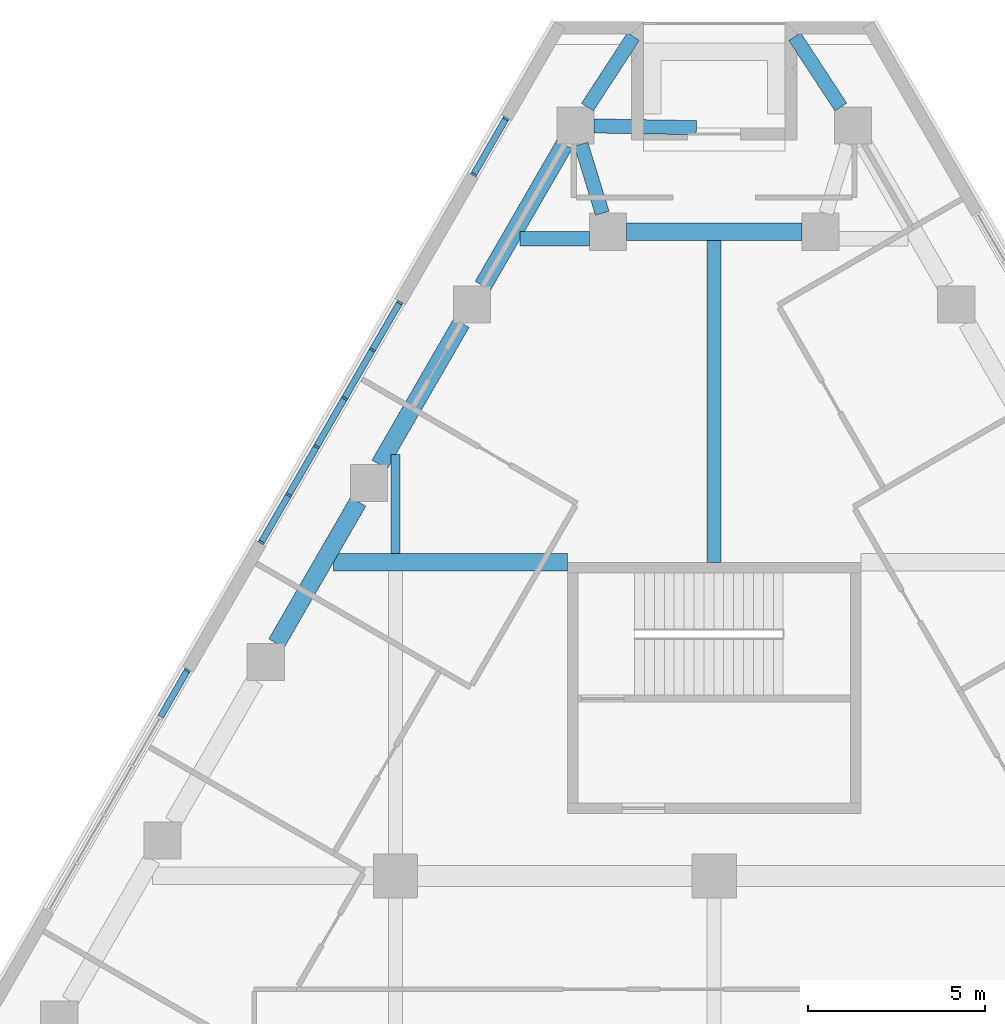
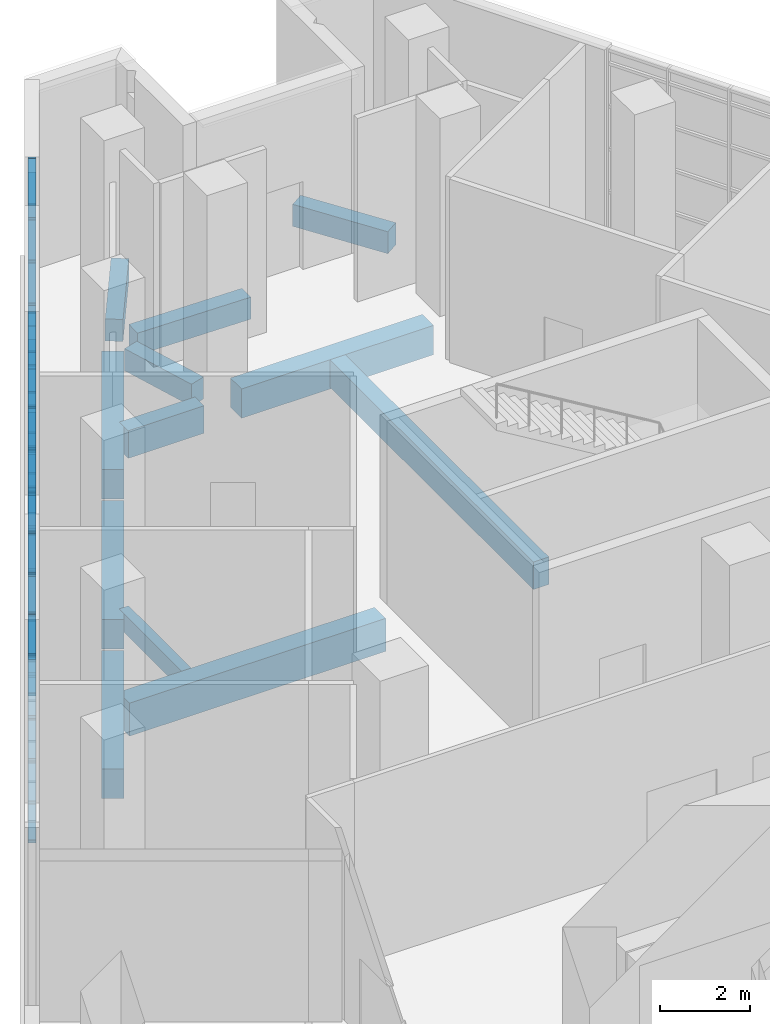
# One storey, part 6 of 18: 51 members, 12 beams, 3 elements without a shape of their own.
"""IFC4 building model written with IfcOpenShell, lengths in metres."""

from ifc_helpers import new_model, si_unit, direction, frame, origin, origin_2d, place, context, subcontext, project, spatial, rectangle, extrude, material, material_profile, profile_set, type_object, element, aggregate, save


model = new_model("IFC4")

# Units and contexts
model_context = context("Model", 3, precision=1e-05, world=origin(), true_north=direction((0.0, 1.0)))
body_context = subcontext(model_context, "Body", "Model", "MODEL_VIEW")
ifc_project = project(units=[si_unit("LENGTHUNIT", "METRE"), si_unit("AREAUNIT", "SQUARE_METRE"), si_unit("VOLUMEUNIT", "CUBIC_METRE"), si_unit("PLANEANGLEUNIT", "RADIAN"), si_unit("MASSUNIT", "GRAM", prefix="KILO")], contexts=[model_context])

# Site, building, storey
site_placement = place(None, origin())
site = spatial("IfcSite", under=ifc_project, at=site_placement, CompositionType="ELEMENT")
building_placement = place(site_placement, origin())
building = spatial("IfcBuilding", under=site, at=building_placement, Name="Fogline Exchange Tower", CompositionType="ELEMENT")
storey_placement = place(building_placement, frame((0.0, 0.0, 137.5)))
storey = spatial("IfcBuildingStorey", under=building, at=storey_placement, Name="L30", CompositionType="ELEMENT", Elevation=137.5)

# Beams
ifc_material_1 = material(Name="Concrete C40", Category="concrete")
ifc_material_profile_1 = material_profile(ifc_material_1, rectangle(XDim=0.5, YDim=0.89990234375, at=origin_2d()), Name="RC 500x900")
ifc_profile_set_1 = profile_set([ifc_material_profile_1], Name="Concrete C40")
beam_type_1 = type_object("IfcBeamType", Name="B02", PredefinedType="BEAM", material=ifc_profile_set_1)
beam_1_placement = place(storey_placement, frame((-10.75830078125, 35.85693359375, -0.85009765625), z_axis=(1.0, 0.0, 0.0), x_axis=(0.0, 1.0, 0.0)))
element("IfcBeam", 1, at=beam_1_placement, inside=storey, type_object=beam_type_1, Name="GB009", PredefinedType="BEAM", context=body_context, shape_type="SweptSolid", body=[
    extrude(rectangle(XDim=0.5, YDim=0.89990234375, at=origin_2d()), origin(), (0.0, 0.0, 1.0), 6.6083984375),
])
ifc_material_profile_2 = material_profile(ifc_material_1, rectangle(XDim=0.39990234375, YDim=0.75, at=origin_2d()), Name="RC 400x750")
ifc_profile_set_2 = profile_set([ifc_material_profile_2], Name="Concrete C40")
beam_type_2 = type_object("IfcBeamType", Name="B05", PredefinedType="BEAM", material=ifc_profile_set_2)
beam_2_placement = place(storey_placement, frame((-5.4794921875, 45.0, -0.77490234375), z_axis=(1.0, 0.0, 0.0), x_axis=(0.0, 1.0, 0.0)))
element("IfcBeam", 2, at=beam_2_placement, inside=storey, type_object=beam_type_2, Name="GB011", PredefinedType="BEAM", context=body_context, shape_type="SweptSolid", body=[
    extrude(rectangle(XDim=0.39990234375, YDim=0.75, at=origin_2d()), origin(), (0.0, 0.0, 1.0), 1.95458984375),
])
beam_3_placement = place(storey_placement, frame((0.0, 35.85693359375, -0.77490234375), z_axis=(0.0, 1.0, 0.0), x_axis=(-1.0, 0.0, 0.0)))
element("IfcBeam", 3, at=beam_3_placement, inside=storey, type_object=beam_type_2, Name="SB008", PredefinedType="BEAM", context=body_context, shape_type="SweptSolid", body=[
    extrude(rectangle(XDim=0.39990234375, YDim=0.75, at=origin_2d()), origin(), (0.0, 0.0, 1.0), 9.08984375),
])
ifc_material_profile_3 = material_profile(ifc_material_1, rectangle(XDim=0.25, YDim=0.5, at=origin_2d()), Name="RC 250x500")
ifc_profile_set_3 = profile_set([ifc_material_profile_3], Name="Concrete C40")
beam_type_3 = type_object("IfcBeamType", Name="B08", PredefinedType="BEAM", material=ifc_profile_set_3)
beam_4_placement = place(storey_placement, frame((-9.0, 36.10693359375, -0.64990234375), z_axis=(0.0, 1.0, 0.0), x_axis=(-1.0, 0.0, 0.0)))
element("IfcBeam", 4, at=beam_4_placement, inside=storey, type_object=beam_type_3, Name="SB006", PredefinedType="BEAM", context=body_context, shape_type="SweptSolid", body=[
    extrude(rectangle(XDim=0.25, YDim=0.5, at=origin_2d()), origin(), (0.0, 0.0, 1.0), 2.79541015625),
])
ifc_material_profile_4 = material_profile(ifc_material_1, rectangle(XDim=0.5, YDim=0.800048828125, at=origin_2d()), Name="RC 500x800")
ifc_profile_set_4 = profile_set([ifc_material_profile_4], Name="Concrete C40")
beam_type_4 = type_object("IfcBeamType", Name="B10", PredefinedType="BEAM", material=ifc_profile_set_4)
beam_5_placement = place(storey_placement, frame((2.47509765625, 45.19677734375, -0.800048828125), z_axis=(-1.0, 0.0, 0.0), x_axis=(0.0, -1.0, 0.0)))
element("IfcBeam", 5, at=beam_5_placement, inside=storey, type_object=beam_type_4, Name="RB018", PredefinedType="BEAM", context=body_context, shape_type="SweptSolid", body=[
    extrude(rectangle(XDim=0.5, YDim=0.800048828125, at=origin_2d()), origin(), (0.0, 0.0, 1.0), 4.9501953125),
])
for number, where, z_axis, x_axis, name in (
    (6, (-4.225830078125, 47.671630859375, -0.800048828125), (-0.500004591975, -0.86602275259, 0.0), (0.86602275259, -0.500004591975, 0.0), "RB020"),
    (7, (-7.1416015625, 42.621337890625, -0.800048828125), (-0.500004591975, -0.86602275259, 0.0), (0.86602275259, -0.500004591975, 0.0), "RB021"),
    (8, (-10.057373046875, 37.571044921875, -0.800048828125), (-0.500004591975, -0.86602275259, 0.0), (0.86602275259, -0.500004591975, 0.0), "RB022"),
):
    element("IfcBeam", number, at=place(storey_placement, frame(where, z_axis=z_axis, x_axis=x_axis)), inside=storey, type_object=beam_type_4, Name=name, PredefinedType="BEAM", context=body_context, shape_type="SweptSolid", body=[
        extrude(rectangle(XDim=0.5, YDim=0.800048828125, at=origin_2d()), origin(), (0.0, 0.0, 1.0), 4.619140625),
    ])
ifc_material_profile_5 = material_profile(ifc_material_1, rectangle(XDim=0.39990234375, YDim=0.60009765625, at=origin_2d()), Name="RC 400x600")
ifc_profile_set_5 = profile_set([ifc_material_profile_5], Name="Concrete C40")
beam_type_5 = type_object("IfcBeamType", Name="B11", PredefinedType="BEAM", material=ifc_profile_set_5)
beam_6_placement = place(storey_placement, frame((-3.16162109375, 45.7216796875, -0.699951171875), z_axis=(-0.293917654764, 0.955830744545, 0.0), x_axis=(-0.955830744545, -0.293917654764, 0.0)))
element("IfcBeam", 9, at=beam_6_placement, inside=storey, type_object=beam_type_5, Name="RB019", PredefinedType="BEAM", context=body_context, shape_type="SweptSolid", body=[
    extrude(rectangle(XDim=0.39990234375, YDim=0.60009765625, at=origin_2d()), origin(), (0.0, 0.0, 1.0), 2.0400390625),
])
beam_7_placement = place(storey_placement, frame((3.57861328125, 48.7216796875, -0.699951171875), z_axis=(-0.548172290849, 0.836365434213, 0.0), x_axis=(-0.836365434213, -0.548172290849, 0.0)))
element("IfcBeam", 10, at=beam_7_placement, inside=storey, type_object=beam_type_5, Name="SP028", PredefinedType="BEAM", context=body_context, shape_type="SweptSolid", body=[
    extrude(rectangle(XDim=0.39990234375, YDim=0.60009765625, at=origin_2d()), origin(), (0.0, 0.0, 1.0), 2.379638671875),
])
beam_8_placement = place(storey_placement, frame((-3.580078125, 48.7216796875, -0.699951171875), z_axis=(0.546330430342, 0.837569734937, 0.0), x_axis=(-0.837569734937, 0.546330430342, 0.0)))
element("IfcBeam", 11, at=beam_8_placement, inside=storey, type_object=beam_type_5, Name="SP029", PredefinedType="BEAM", context=body_context, shape_type="SweptSolid", body=[
    extrude(rectangle(XDim=0.39990234375, YDim=0.60009765625, at=origin_2d()), origin(), (0.0, 0.0, 1.0), 2.37744140625),
])
beam_9_placement = place(storey_placement, frame((-3.397705078125, 48.18798828125, -0.699951171875), z_axis=(0.999861842093, -0.016622175771, 0.0), x_axis=(0.016622175771, 0.999861842093, 0.0)))
element("IfcBeam", 12, at=beam_9_placement, inside=storey, type_object=beam_type_5, Name="SP032", PredefinedType="BEAM", context=body_context, shape_type="SweptSolid", body=[
    extrude(rectangle(XDim=0.39990234375, YDim=0.60009765625, at=origin_2d()), origin(), (0.0, 0.0, 1.0), 2.8935546875),
])

# Curtain wall, members
ifc_material_2 = material(Name="Aluminium and glass", Category="aluminium")
curtain_wall_type = type_object("IfcCurtainWallType", Name="CW4", PredefinedType="NOTDEFINED", material=ifc_material_2)
curtain_wall_1_placement = place(storey_placement, origin())
curtain_wall_1 = element("IfcCurtainWall", 13, at=curtain_wall_1_placement, inside=storey, type_object=curtain_wall_type, Name="CW4 L30 W run 1", PredefinedType="NOTDEFINED")
ifc_material_3 = material(Name="Aluminium", Category="aluminium")
ifc_material_profile_6 = material_profile(ifc_material_3, rectangle(XDim=0.179931640625, YDim=0.06005859375, at=origin_2d()), Name="Mullion 60x180")
ifc_profile_set_6 = profile_set([ifc_material_profile_6], Name="Aluminium")
member_type_1 = type_object("IfcMemberType", Name="CW4-M", PredefinedType="MULLION", material=ifc_profile_set_6)
member_1_placement = place(storey_placement, frame((-5.883544921875, 48.3955078125, 0.0), z_axis=(0.0, 0.0, 1.0), x_axis=(0.866025684137, -0.499999514416, 0.0)))
member_1 = element("IfcMember", 14, at=member_1_placement, type_object=member_type_1, Name="CW4-T09-08 mullion 1", PredefinedType="MULLION", context=body_context, shape_type="SweptSolid", body=[
    extrude(rectangle(XDim=0.179931640625, YDim=0.06005859375, at=origin_2d()), origin(), (0.0, 0.0, 1.0), 5.0),
])
member_2_placement = place(storey_placement, frame((-6.7958984375, 46.81494140625, 0.0), z_axis=(0.0, 0.0, 1.0), x_axis=(0.866025684137, -0.499999514416, 0.0)))
member_2 = element("IfcMember", 15, at=member_2_placement, type_object=member_type_1, Name="CW4-T09-08 mullion 2", PredefinedType="MULLION", context=body_context, shape_type="SweptSolid", body=[
    extrude(rectangle(XDim=0.179931640625, YDim=0.06005859375, at=origin_2d()), origin(), (0.0, 0.0, 1.0), 5.0),
])

curtain_wall_2_placement = place(storey_placement, origin())
curtain_wall_2 = element("IfcCurtainWall", 16, at=curtain_wall_2_placement, inside=storey, type_object=curtain_wall_type, Name="CW4 L30 W run 2", PredefinedType="NOTDEFINED")
member_3_placement = place(storey_placement, frame((-8.883544921875, 43.19921875, 0.0), z_axis=(0.0, 0.0, 1.0), x_axis=(0.866025393993, -0.500000016959, 0.0)))
member_3 = element("IfcMember", 17, at=member_3_placement, type_object=member_type_1, Name="CW4-T09-09 mullion 1", PredefinedType="MULLION", context=body_context, shape_type="SweptSolid", body=[
    extrude(rectangle(XDim=0.179931640625, YDim=0.06005859375, at=origin_2d()), origin(), (0.0, 0.0, 1.0), 5.0),
])
member_4_placement = place(storey_placement, frame((-9.656982421875, 41.859619140625, 0.0), z_axis=(0.0, 0.0, 1.0), x_axis=(0.866025393993, -0.500000016959, 0.0)))
member_4 = element("IfcMember", 18, at=member_4_placement, type_object=member_type_1, Name="CW4-T09-09 mullion 2", PredefinedType="MULLION", context=body_context, shape_type="SweptSolid", body=[
    extrude(rectangle(XDim=0.179931640625, YDim=0.06005859375, at=origin_2d()), origin(), (0.0, 0.0, 1.0), 5.0),
])
member_5_placement = place(storey_placement, frame((-10.4453125, 40.493896484375, 0.0), z_axis=(0.0, 0.0, 1.0), x_axis=(0.866025393993, -0.500000016959, 0.0)))
member_5 = element("IfcMember", 19, at=member_5_placement, type_object=member_type_1, Name="CW4-T09-09 mullion 3", PredefinedType="MULLION", context=body_context, shape_type="SweptSolid", body=[
    extrude(rectangle(XDim=0.179931640625, YDim=0.06005859375, at=origin_2d()), origin(), (0.0, 0.0, 1.0), 5.0),
])
member_6_placement = place(storey_placement, frame((-11.23388671875, 39.128173828125, 0.0), z_axis=(0.0, 0.0, 1.0), x_axis=(0.866025393993, -0.500000016959, 0.0)))
member_6 = element("IfcMember", 20, at=member_6_placement, type_object=member_type_1, Name="CW4-T09-09 mullion 4", PredefinedType="MULLION", context=body_context, shape_type="SweptSolid", body=[
    extrude(rectangle(XDim=0.179931640625, YDim=0.06005859375, at=origin_2d()), origin(), (0.0, 0.0, 1.0), 5.0),
])
member_7_placement = place(storey_placement, frame((-12.0224609375, 37.762451171875, 0.0), z_axis=(0.0, 0.0, 1.0), x_axis=(0.866025393993, -0.500000016959, 0.0)))
member_7 = element("IfcMember", 21, at=member_7_placement, type_object=member_type_1, Name="CW4-T09-09 mullion 5", PredefinedType="MULLION", context=body_context, shape_type="SweptSolid", body=[
    extrude(rectangle(XDim=0.179931640625, YDim=0.06005859375, at=origin_2d()), origin(), (0.0, 0.0, 1.0), 5.0),
])
member_8_placement = place(storey_placement, frame((-12.7958984375, 36.422607421875, 0.0), z_axis=(0.0, 0.0, 1.0), x_axis=(0.866025393993, -0.500000016959, 0.0)))
member_8 = element("IfcMember", 22, at=member_8_placement, type_object=member_type_1, Name="CW4-T09-09 mullion 6", PredefinedType="MULLION", context=body_context, shape_type="SweptSolid", body=[
    extrude(rectangle(XDim=0.179931640625, YDim=0.06005859375, at=origin_2d()), origin(), (0.0, 0.0, 1.0), 5.0),
])

# Curtain wall, member
curtain_wall_3_placement = place(storey_placement, origin())
curtain_wall_3 = element("IfcCurtainWall", 23, at=curtain_wall_3_placement, inside=storey, type_object=curtain_wall_type, Name="CW4 L30 W run 3", PredefinedType="NOTDEFINED")
member_9_placement = place(storey_placement, frame((-14.883544921875, 32.80712890625, 0.0), z_axis=(0.0, 0.0, 1.0), x_axis=(0.866025393993, -0.500000016959, 0.0)))
member_9 = element("IfcMember", 24, at=member_9_placement, type_object=member_type_1, Name="CW4-T09-10 mullion 1", PredefinedType="MULLION", context=body_context, shape_type="SweptSolid", body=[
    extrude(rectangle(XDim=0.179931640625, YDim=0.06005859375, at=origin_2d()), origin(), (0.0, 0.0, 1.0), 5.0),
])

# Member
ifc_material_profile_7 = material_profile(ifc_material_3, rectangle(XDim=0.179931640625, YDim=0.074951171875, at=origin_2d()), Name="Transom 75x180")
ifc_profile_set_7 = profile_set([ifc_material_profile_7], Name="Aluminium")
member_type_2 = type_object("IfcMemberType", Name="CW4-T", PredefinedType="USERDEFINED", material=ifc_profile_set_7)
member_10_placement = place(storey_placement, frame((-5.8984375, 48.369384765625, 0.03759765625), z_axis=(-0.500081682786, -0.86597823907, 0.0), x_axis=(0.86597823907, -0.500081682786, 0.0)))
member_10 = element("IfcMember", 25, at=member_10_placement, type_object=member_type_2, Name="CW4-T09-08 transom 1.1", ObjectType="TRANSOM", PredefinedType="USERDEFINED", context=body_context, shape_type="SweptSolid", body=[
    extrude(rectangle(XDim=0.179931640625, YDim=0.074951171875, at=origin_2d()), origin(), (0.0, 0.0, 1.0), 1.764892578125),
])

member_11_placement = place(storey_placement, frame((-5.8984375, 48.369384765625, 1.10009765625), z_axis=(-0.500081682786, -0.86597823907, 0.0), x_axis=(0.86597823907, -0.500081682786, 0.0)))
member_11 = element("IfcMember", 26, at=member_11_placement, type_object=member_type_2, Name="CW4-T09-08 transom 1.2", ObjectType="TRANSOM", PredefinedType="USERDEFINED", context=body_context, shape_type="SweptSolid", body=[
    extrude(rectangle(XDim=0.179931640625, YDim=0.074951171875, at=origin_2d()), origin(), (0.0, 0.0, 1.0), 1.764892578125),
])

member_12_placement = place(storey_placement, frame((-5.8984375, 48.369384765625, 2.2666015625), z_axis=(-0.500081682786, -0.86597823907, 0.0), x_axis=(0.86597823907, -0.500081682786, 0.0)))
member_12 = element("IfcMember", 27, at=member_12_placement, type_object=member_type_2, Name="CW4-T09-08 transom 1.3", ObjectType="TRANSOM", PredefinedType="USERDEFINED", context=body_context, shape_type="SweptSolid", body=[
    extrude(rectangle(XDim=0.179931640625, YDim=0.074951171875, at=origin_2d()), origin(), (0.0, 0.0, 1.0), 1.764892578125),
])

member_13_placement = place(storey_placement, frame((-5.8984375, 48.369384765625, 3.433349609375), z_axis=(-0.500081682786, -0.86597823907, 0.0), x_axis=(0.86597823907, -0.500081682786, 0.0)))
member_13 = element("IfcMember", 28, at=member_13_placement, type_object=member_type_2, Name="CW4-T09-08 transom 1.4", ObjectType="TRANSOM", PredefinedType="USERDEFINED", context=body_context, shape_type="SweptSolid", body=[
    extrude(rectangle(XDim=0.179931640625, YDim=0.074951171875, at=origin_2d()), origin(), (0.0, 0.0, 1.0), 1.764892578125),
])

member_14_placement = place(storey_placement, frame((-5.8984375, 48.369384765625, 4.60009765625), z_axis=(-0.500081682786, -0.86597823907, 0.0), x_axis=(0.86597823907, -0.500081682786, 0.0)))
member_14 = element("IfcMember", 29, at=member_14_placement, type_object=member_type_2, Name="CW4-T09-08 transom 1.5", ObjectType="TRANSOM", PredefinedType="USERDEFINED", context=body_context, shape_type="SweptSolid", body=[
    extrude(rectangle(XDim=0.179931640625, YDim=0.074951171875, at=origin_2d()), origin(), (0.0, 0.0, 1.0), 1.764892578125),
])

member_15_placement = place(storey_placement, frame((-5.8984375, 48.369384765625, 4.96240234375), z_axis=(-0.500081682786, -0.86597823907, 0.0), x_axis=(0.86597823907, -0.500081682786, 0.0)))
member_15 = element("IfcMember", 30, at=member_15_placement, type_object=member_type_2, Name="CW4-T09-08 transom 1.6", ObjectType="TRANSOM", PredefinedType="USERDEFINED", context=body_context, shape_type="SweptSolid", body=[
    extrude(rectangle(XDim=0.179931640625, YDim=0.074951171875, at=origin_2d()), origin(), (0.0, 0.0, 1.0), 1.764892578125),
])

aggregate(curtain_wall_1, [member_1, member_2, member_10, member_11, member_12, member_13, member_14, member_15])

member_16_placement = place(storey_placement, frame((-8.8984375, 43.17333984375, 0.03759765625), z_axis=(-0.499935638681, -0.86606255962, 0.0), x_axis=(0.86606255962, -0.499935638681, 0.0)))
member_16 = element("IfcMember", 31, at=member_16_placement, type_object=member_type_2, Name="CW4-T09-09 transom 1.1", ObjectType="TRANSOM", PredefinedType="USERDEFINED", context=body_context, shape_type="SweptSolid", body=[
    extrude(rectangle(XDim=0.179931640625, YDim=0.074951171875, at=origin_2d()), origin(), (0.0, 0.0, 1.0), 1.487060546875),
])

member_17_placement = place(storey_placement, frame((-8.8984375, 43.17333984375, 1.10009765625), z_axis=(-0.499935638681, -0.86606255962, 0.0), x_axis=(0.86606255962, -0.499935638681, 0.0)))
member_17 = element("IfcMember", 32, at=member_17_placement, type_object=member_type_2, Name="CW4-T09-09 transom 1.2", ObjectType="TRANSOM", PredefinedType="USERDEFINED", context=body_context, shape_type="SweptSolid", body=[
    extrude(rectangle(XDim=0.179931640625, YDim=0.074951171875, at=origin_2d()), origin(), (0.0, 0.0, 1.0), 1.487060546875),
])

member_18_placement = place(storey_placement, frame((-8.8984375, 43.17333984375, 2.2666015625), z_axis=(-0.499935638681, -0.86606255962, 0.0), x_axis=(0.86606255962, -0.499935638681, 0.0)))
member_18 = element("IfcMember", 33, at=member_18_placement, type_object=member_type_2, Name="CW4-T09-09 transom 1.3", ObjectType="TRANSOM", PredefinedType="USERDEFINED", context=body_context, shape_type="SweptSolid", body=[
    extrude(rectangle(XDim=0.179931640625, YDim=0.074951171875, at=origin_2d()), origin(), (0.0, 0.0, 1.0), 1.487060546875),
])

member_19_placement = place(storey_placement, frame((-8.8984375, 43.17333984375, 3.433349609375), z_axis=(-0.499935638681, -0.86606255962, 0.0), x_axis=(0.86606255962, -0.499935638681, 0.0)))
member_19 = element("IfcMember", 34, at=member_19_placement, type_object=member_type_2, Name="CW4-T09-09 transom 1.4", ObjectType="TRANSOM", PredefinedType="USERDEFINED", context=body_context, shape_type="SweptSolid", body=[
    extrude(rectangle(XDim=0.179931640625, YDim=0.074951171875, at=origin_2d()), origin(), (0.0, 0.0, 1.0), 1.487060546875),
])

member_20_placement = place(storey_placement, frame((-8.8984375, 43.17333984375, 4.60009765625), z_axis=(-0.499935638681, -0.86606255962, 0.0), x_axis=(0.86606255962, -0.499935638681, 0.0)))
member_20 = element("IfcMember", 35, at=member_20_placement, type_object=member_type_2, Name="CW4-T09-09 transom 1.5", ObjectType="TRANSOM", PredefinedType="USERDEFINED", context=body_context, shape_type="SweptSolid", body=[
    extrude(rectangle(XDim=0.179931640625, YDim=0.074951171875, at=origin_2d()), origin(), (0.0, 0.0, 1.0), 1.487060546875),
])

member_21_placement = place(storey_placement, frame((-8.8984375, 43.17333984375, 4.96240234375), z_axis=(-0.499935638681, -0.86606255962, 0.0), x_axis=(0.86606255962, -0.499935638681, 0.0)))
member_21 = element("IfcMember", 36, at=member_21_placement, type_object=member_type_2, Name="CW4-T09-09 transom 1.6", ObjectType="TRANSOM", PredefinedType="USERDEFINED", context=body_context, shape_type="SweptSolid", body=[
    extrude(rectangle(XDim=0.179931640625, YDim=0.074951171875, at=origin_2d()), origin(), (0.0, 0.0, 1.0), 1.487060546875),
])

member_22_placement = place(storey_placement, frame((-9.671875, 41.83349609375, 0.03759765625), z_axis=(-0.500033579465, -0.866006015803, 0.0), x_axis=(0.866006015803, -0.500033579465, 0.0)))
member_22 = element("IfcMember", 37, at=member_22_placement, type_object=member_type_2, Name="CW4-T09-09 transom 2.1", ObjectType="TRANSOM", PredefinedType="USERDEFINED", context=body_context, shape_type="SweptSolid", body=[
    extrude(rectangle(XDim=0.179931640625, YDim=0.074951171875, at=origin_2d()), origin(), (0.0, 0.0, 1.0), 1.51708984375),
])

member_23_placement = place(storey_placement, frame((-9.671875, 41.83349609375, 1.10009765625), z_axis=(-0.500033579465, -0.866006015803, 0.0), x_axis=(0.866006015803, -0.500033579465, 0.0)))
member_23 = element("IfcMember", 38, at=member_23_placement, type_object=member_type_2, Name="CW4-T09-09 transom 2.2", ObjectType="TRANSOM", PredefinedType="USERDEFINED", context=body_context, shape_type="SweptSolid", body=[
    extrude(rectangle(XDim=0.179931640625, YDim=0.074951171875, at=origin_2d()), origin(), (0.0, 0.0, 1.0), 1.51708984375),
])

member_24_placement = place(storey_placement, frame((-9.671875, 41.83349609375, 2.2666015625), z_axis=(-0.500033579465, -0.866006015803, 0.0), x_axis=(0.866006015803, -0.500033579465, 0.0)))
member_24 = element("IfcMember", 39, at=member_24_placement, type_object=member_type_2, Name="CW4-T09-09 transom 2.3", ObjectType="TRANSOM", PredefinedType="USERDEFINED", context=body_context, shape_type="SweptSolid", body=[
    extrude(rectangle(XDim=0.179931640625, YDim=0.074951171875, at=origin_2d()), origin(), (0.0, 0.0, 1.0), 1.51708984375),
])

member_25_placement = place(storey_placement, frame((-9.671875, 41.83349609375, 3.433349609375), z_axis=(-0.500033579465, -0.866006015803, 0.0), x_axis=(0.866006015803, -0.500033579465, 0.0)))
member_25 = element("IfcMember", 40, at=member_25_placement, type_object=member_type_2, Name="CW4-T09-09 transom 2.4", ObjectType="TRANSOM", PredefinedType="USERDEFINED", context=body_context, shape_type="SweptSolid", body=[
    extrude(rectangle(XDim=0.179931640625, YDim=0.074951171875, at=origin_2d()), origin(), (0.0, 0.0, 1.0), 1.51708984375),
])

member_26_placement = place(storey_placement, frame((-9.671875, 41.83349609375, 4.60009765625), z_axis=(-0.500033579465, -0.866006015803, 0.0), x_axis=(0.866006015803, -0.500033579465, 0.0)))
member_26 = element("IfcMember", 41, at=member_26_placement, type_object=member_type_2, Name="CW4-T09-09 transom 2.5", ObjectType="TRANSOM", PredefinedType="USERDEFINED", context=body_context, shape_type="SweptSolid", body=[
    extrude(rectangle(XDim=0.179931640625, YDim=0.074951171875, at=origin_2d()), origin(), (0.0, 0.0, 1.0), 1.51708984375),
])

member_27_placement = place(storey_placement, frame((-9.671875, 41.83349609375, 4.96240234375), z_axis=(-0.500033579465, -0.866006015803, 0.0), x_axis=(0.866006015803, -0.500033579465, 0.0)))
member_27 = element("IfcMember", 42, at=member_27_placement, type_object=member_type_2, Name="CW4-T09-09 transom 2.6", ObjectType="TRANSOM", PredefinedType="USERDEFINED", context=body_context, shape_type="SweptSolid", body=[
    extrude(rectangle(XDim=0.179931640625, YDim=0.074951171875, at=origin_2d()), origin(), (0.0, 0.0, 1.0), 1.51708984375),
])

member_28_placement = place(storey_placement, frame((-10.46044921875, 40.4677734375, 0.03759765625), z_axis=(-0.500033579465, -0.866006015803, 0.0), x_axis=(0.866006015803, -0.500033579465, 0.0)))
member_28 = element("IfcMember", 43, at=member_28_placement, type_object=member_type_2, Name="CW4-T09-09 transom 3.1", ObjectType="TRANSOM", PredefinedType="USERDEFINED", context=body_context, shape_type="SweptSolid", body=[
    extrude(rectangle(XDim=0.179931640625, YDim=0.074951171875, at=origin_2d()), origin(), (0.0, 0.0, 1.0), 1.51708984375),
])

member_29_placement = place(storey_placement, frame((-10.46044921875, 40.4677734375, 1.10009765625), z_axis=(-0.500033579465, -0.866006015803, 0.0), x_axis=(0.866006015803, -0.500033579465, 0.0)))
member_29 = element("IfcMember", 44, at=member_29_placement, type_object=member_type_2, Name="CW4-T09-09 transom 3.2", ObjectType="TRANSOM", PredefinedType="USERDEFINED", context=body_context, shape_type="SweptSolid", body=[
    extrude(rectangle(XDim=0.179931640625, YDim=0.074951171875, at=origin_2d()), origin(), (0.0, 0.0, 1.0), 1.51708984375),
])

member_30_placement = place(storey_placement, frame((-10.46044921875, 40.4677734375, 2.2666015625), z_axis=(-0.500033579465, -0.866006015803, 0.0), x_axis=(0.866006015803, -0.500033579465, 0.0)))
member_30 = element("IfcMember", 45, at=member_30_placement, type_object=member_type_2, Name="CW4-T09-09 transom 3.3", ObjectType="TRANSOM", PredefinedType="USERDEFINED", context=body_context, shape_type="SweptSolid", body=[
    extrude(rectangle(XDim=0.179931640625, YDim=0.074951171875, at=origin_2d()), origin(), (0.0, 0.0, 1.0), 1.51708984375),
])

member_31_placement = place(storey_placement, frame((-10.46044921875, 40.4677734375, 3.433349609375), z_axis=(-0.500033579465, -0.866006015803, 0.0), x_axis=(0.866006015803, -0.500033579465, 0.0)))
member_31 = element("IfcMember", 46, at=member_31_placement, type_object=member_type_2, Name="CW4-T09-09 transom 3.4", ObjectType="TRANSOM", PredefinedType="USERDEFINED", context=body_context, shape_type="SweptSolid", body=[
    extrude(rectangle(XDim=0.179931640625, YDim=0.074951171875, at=origin_2d()), origin(), (0.0, 0.0, 1.0), 1.51708984375),
])

member_32_placement = place(storey_placement, frame((-10.46044921875, 40.4677734375, 4.60009765625), z_axis=(-0.500033579465, -0.866006015803, 0.0), x_axis=(0.866006015803, -0.500033579465, 0.0)))
member_32 = element("IfcMember", 47, at=member_32_placement, type_object=member_type_2, Name="CW4-T09-09 transom 3.5", ObjectType="TRANSOM", PredefinedType="USERDEFINED", context=body_context, shape_type="SweptSolid", body=[
    extrude(rectangle(XDim=0.179931640625, YDim=0.074951171875, at=origin_2d()), origin(), (0.0, 0.0, 1.0), 1.51708984375),
])

member_33_placement = place(storey_placement, frame((-10.46044921875, 40.4677734375, 4.96240234375), z_axis=(-0.500033579465, -0.866006015803, 0.0), x_axis=(0.866006015803, -0.500033579465, 0.0)))
member_33 = element("IfcMember", 48, at=member_33_placement, type_object=member_type_2, Name="CW4-T09-09 transom 3.6", ObjectType="TRANSOM", PredefinedType="USERDEFINED", context=body_context, shape_type="SweptSolid", body=[
    extrude(rectangle(XDim=0.179931640625, YDim=0.074951171875, at=origin_2d()), origin(), (0.0, 0.0, 1.0), 1.51708984375),
])

member_34_placement = place(storey_placement, frame((-11.2490234375, 39.10205078125, 0.03759765625), z_axis=(-0.499912866989, -0.866075704208, 0.0), x_axis=(0.866075704208, -0.499912866989, 0.0)))
member_34 = element("IfcMember", 49, at=member_34_placement, type_object=member_type_2, Name="CW4-T09-09 transom 4.1", ObjectType="TRANSOM", PredefinedType="USERDEFINED", context=body_context, shape_type="SweptSolid", body=[
    extrude(rectangle(XDim=0.179931640625, YDim=0.074951171875, at=origin_2d()), origin(), (0.0, 0.0, 1.0), 1.516845703125),
])

member_35_placement = place(storey_placement, frame((-11.2490234375, 39.10205078125, 1.10009765625), z_axis=(-0.499912866989, -0.866075704208, 0.0), x_axis=(0.866075704208, -0.499912866989, 0.0)))
member_35 = element("IfcMember", 50, at=member_35_placement, type_object=member_type_2, Name="CW4-T09-09 transom 4.2", ObjectType="TRANSOM", PredefinedType="USERDEFINED", context=body_context, shape_type="SweptSolid", body=[
    extrude(rectangle(XDim=0.179931640625, YDim=0.074951171875, at=origin_2d()), origin(), (0.0, 0.0, 1.0), 1.516845703125),
])

member_36_placement = place(storey_placement, frame((-11.2490234375, 39.10205078125, 2.2666015625), z_axis=(-0.499912866989, -0.866075704208, 0.0), x_axis=(0.866075704208, -0.499912866989, 0.0)))
member_36 = element("IfcMember", 51, at=member_36_placement, type_object=member_type_2, Name="CW4-T09-09 transom 4.3", ObjectType="TRANSOM", PredefinedType="USERDEFINED", context=body_context, shape_type="SweptSolid", body=[
    extrude(rectangle(XDim=0.179931640625, YDim=0.074951171875, at=origin_2d()), origin(), (0.0, 0.0, 1.0), 1.516845703125),
])

member_37_placement = place(storey_placement, frame((-11.2490234375, 39.10205078125, 3.433349609375), z_axis=(-0.499912866989, -0.866075704208, 0.0), x_axis=(0.866075704208, -0.499912866989, 0.0)))
member_37 = element("IfcMember", 52, at=member_37_placement, type_object=member_type_2, Name="CW4-T09-09 transom 4.4", ObjectType="TRANSOM", PredefinedType="USERDEFINED", context=body_context, shape_type="SweptSolid", body=[
    extrude(rectangle(XDim=0.179931640625, YDim=0.074951171875, at=origin_2d()), origin(), (0.0, 0.0, 1.0), 1.516845703125),
])

member_38_placement = place(storey_placement, frame((-11.2490234375, 39.10205078125, 4.60009765625), z_axis=(-0.499912866989, -0.866075704208, 0.0), x_axis=(0.866075704208, -0.499912866989, 0.0)))
member_38 = element("IfcMember", 53, at=member_38_placement, type_object=member_type_2, Name="CW4-T09-09 transom 4.5", ObjectType="TRANSOM", PredefinedType="USERDEFINED", context=body_context, shape_type="SweptSolid", body=[
    extrude(rectangle(XDim=0.179931640625, YDim=0.074951171875, at=origin_2d()), origin(), (0.0, 0.0, 1.0), 1.516845703125),
])

member_39_placement = place(storey_placement, frame((-11.2490234375, 39.10205078125, 4.96240234375), z_axis=(-0.499912866989, -0.866075704208, 0.0), x_axis=(0.866075704208, -0.499912866989, 0.0)))
member_39 = element("IfcMember", 54, at=member_39_placement, type_object=member_type_2, Name="CW4-T09-09 transom 4.6", ObjectType="TRANSOM", PredefinedType="USERDEFINED", context=body_context, shape_type="SweptSolid", body=[
    extrude(rectangle(XDim=0.179931640625, YDim=0.074951171875, at=origin_2d()), origin(), (0.0, 0.0, 1.0), 1.516845703125),
])

member_40_placement = place(storey_placement, frame((-12.037353515625, 37.736328125, 0.03759765625), z_axis=(-0.500129872197, -0.865950409051, 0.0), x_axis=(0.865950409051, -0.500129872197, 0.0)))
member_40 = element("IfcMember", 55, at=member_40_placement, type_object=member_type_2, Name="CW4-T09-09 transom 5.1", ObjectType="TRANSOM", PredefinedType="USERDEFINED", context=body_context, shape_type="SweptSolid", body=[
    extrude(rectangle(XDim=0.179931640625, YDim=0.074951171875, at=origin_2d()), origin(), (0.0, 0.0, 1.0), 1.48681640625),
])

member_41_placement = place(storey_placement, frame((-12.037353515625, 37.736328125, 1.10009765625), z_axis=(-0.500129872197, -0.865950409051, 0.0), x_axis=(0.865950409051, -0.500129872197, 0.0)))
member_41 = element("IfcMember", 56, at=member_41_placement, type_object=member_type_2, Name="CW4-T09-09 transom 5.2", ObjectType="TRANSOM", PredefinedType="USERDEFINED", context=body_context, shape_type="SweptSolid", body=[
    extrude(rectangle(XDim=0.179931640625, YDim=0.074951171875, at=origin_2d()), origin(), (0.0, 0.0, 1.0), 1.48681640625),
])

member_42_placement = place(storey_placement, frame((-12.037353515625, 37.736328125, 2.2666015625), z_axis=(-0.500129872197, -0.865950409051, 0.0), x_axis=(0.865950409051, -0.500129872197, 0.0)))
member_42 = element("IfcMember", 57, at=member_42_placement, type_object=member_type_2, Name="CW4-T09-09 transom 5.3", ObjectType="TRANSOM", PredefinedType="USERDEFINED", context=body_context, shape_type="SweptSolid", body=[
    extrude(rectangle(XDim=0.179931640625, YDim=0.074951171875, at=origin_2d()), origin(), (0.0, 0.0, 1.0), 1.48681640625),
])

member_43_placement = place(storey_placement, frame((-12.037353515625, 37.736328125, 3.433349609375), z_axis=(-0.500129872197, -0.865950409051, 0.0), x_axis=(0.865950409051, -0.500129872197, 0.0)))
member_43 = element("IfcMember", 58, at=member_43_placement, type_object=member_type_2, Name="CW4-T09-09 transom 5.4", ObjectType="TRANSOM", PredefinedType="USERDEFINED", context=body_context, shape_type="SweptSolid", body=[
    extrude(rectangle(XDim=0.179931640625, YDim=0.074951171875, at=origin_2d()), origin(), (0.0, 0.0, 1.0), 1.48681640625),
])

member_44_placement = place(storey_placement, frame((-12.037353515625, 37.736328125, 4.60009765625), z_axis=(-0.500129872197, -0.865950409051, 0.0), x_axis=(0.865950409051, -0.500129872197, 0.0)))
member_44 = element("IfcMember", 59, at=member_44_placement, type_object=member_type_2, Name="CW4-T09-09 transom 5.5", ObjectType="TRANSOM", PredefinedType="USERDEFINED", context=body_context, shape_type="SweptSolid", body=[
    extrude(rectangle(XDim=0.179931640625, YDim=0.074951171875, at=origin_2d()), origin(), (0.0, 0.0, 1.0), 1.48681640625),
])

member_45_placement = place(storey_placement, frame((-12.037353515625, 37.736328125, 4.96240234375), z_axis=(-0.500129872197, -0.865950409051, 0.0), x_axis=(0.865950409051, -0.500129872197, 0.0)))
member_45 = element("IfcMember", 60, at=member_45_placement, type_object=member_type_2, Name="CW4-T09-09 transom 5.6", ObjectType="TRANSOM", PredefinedType="USERDEFINED", context=body_context, shape_type="SweptSolid", body=[
    extrude(rectangle(XDim=0.179931640625, YDim=0.074951171875, at=origin_2d()), origin(), (0.0, 0.0, 1.0), 1.48681640625),
])

aggregate(curtain_wall_2, [member_3, member_4, member_5, member_6, member_7, member_8, member_16, member_17, member_18, member_19, member_20, member_21, member_22, member_23, member_24, member_25, member_26, member_27, member_28, member_29, member_30, member_31, member_32, member_33, member_34, member_35, member_36, member_37, member_38, member_39, member_40, member_41, member_42, member_43, member_44, member_45])

member_46_placement = place(storey_placement, frame((-14.8984375, 32.781005859375, 0.03759765625), z_axis=(-0.499935638681, -0.86606255962, 0.0), x_axis=(0.86606255962, -0.499935638681, 0.0)))
member_46 = element("IfcMember", 61, at=member_46_placement, type_object=member_type_2, Name="CW4-T09-10 transom 1.1", ObjectType="TRANSOM", PredefinedType="USERDEFINED", context=body_context, shape_type="SweptSolid", body=[
    extrude(rectangle(XDim=0.179931640625, YDim=0.074951171875, at=origin_2d()), origin(), (0.0, 0.0, 1.0), 1.487060546875),
])

member_47_placement = place(storey_placement, frame((-14.8984375, 32.781005859375, 1.10009765625), z_axis=(-0.499935638681, -0.86606255962, 0.0), x_axis=(0.86606255962, -0.499935638681, 0.0)))
member_47 = element("IfcMember", 62, at=member_47_placement, type_object=member_type_2, Name="CW4-T09-10 transom 1.2", ObjectType="TRANSOM", PredefinedType="USERDEFINED", context=body_context, shape_type="SweptSolid", body=[
    extrude(rectangle(XDim=0.179931640625, YDim=0.074951171875, at=origin_2d()), origin(), (0.0, 0.0, 1.0), 1.487060546875),
])

member_48_placement = place(storey_placement, frame((-14.8984375, 32.781005859375, 2.2666015625), z_axis=(-0.499935638681, -0.86606255962, 0.0), x_axis=(0.86606255962, -0.499935638681, 0.0)))
member_48 = element("IfcMember", 63, at=member_48_placement, type_object=member_type_2, Name="CW4-T09-10 transom 1.3", ObjectType="TRANSOM", PredefinedType="USERDEFINED", context=body_context, shape_type="SweptSolid", body=[
    extrude(rectangle(XDim=0.179931640625, YDim=0.074951171875, at=origin_2d()), origin(), (0.0, 0.0, 1.0), 1.487060546875),
])

member_49_placement = place(storey_placement, frame((-14.8984375, 32.781005859375, 3.433349609375), z_axis=(-0.499935638681, -0.86606255962, 0.0), x_axis=(0.86606255962, -0.499935638681, 0.0)))
member_49 = element("IfcMember", 64, at=member_49_placement, type_object=member_type_2, Name="CW4-T09-10 transom 1.4", ObjectType="TRANSOM", PredefinedType="USERDEFINED", context=body_context, shape_type="SweptSolid", body=[
    extrude(rectangle(XDim=0.179931640625, YDim=0.074951171875, at=origin_2d()), origin(), (0.0, 0.0, 1.0), 1.487060546875),
])

member_50_placement = place(storey_placement, frame((-14.8984375, 32.781005859375, 4.60009765625), z_axis=(-0.499935638681, -0.86606255962, 0.0), x_axis=(0.86606255962, -0.499935638681, 0.0)))
member_50 = element("IfcMember", 65, at=member_50_placement, type_object=member_type_2, Name="CW4-T09-10 transom 1.5", ObjectType="TRANSOM", PredefinedType="USERDEFINED", context=body_context, shape_type="SweptSolid", body=[
    extrude(rectangle(XDim=0.179931640625, YDim=0.074951171875, at=origin_2d()), origin(), (0.0, 0.0, 1.0), 1.487060546875),
])

member_51_placement = place(storey_placement, frame((-14.8984375, 32.781005859375, 4.96240234375), z_axis=(-0.499935638681, -0.86606255962, 0.0), x_axis=(0.86606255962, -0.499935638681, 0.0)))
member_51 = element("IfcMember", 66, at=member_51_placement, type_object=member_type_2, Name="CW4-T09-10 transom 1.6", ObjectType="TRANSOM", PredefinedType="USERDEFINED", context=body_context, shape_type="SweptSolid", body=[
    extrude(rectangle(XDim=0.179931640625, YDim=0.074951171875, at=origin_2d()), origin(), (0.0, 0.0, 1.0), 1.487060546875),
])

aggregate(curtain_wall_3, [member_9, member_46, member_47, member_48, member_49, member_50, member_51])

save(model, "model.ifc")
